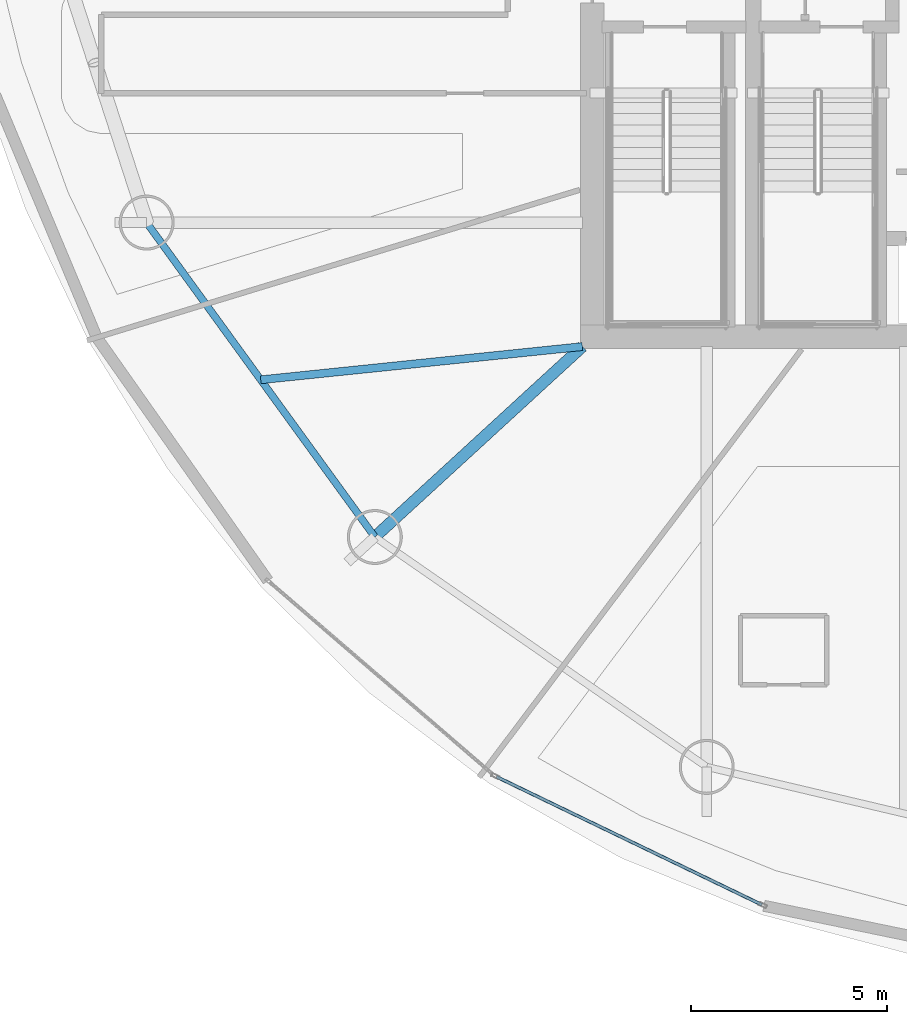
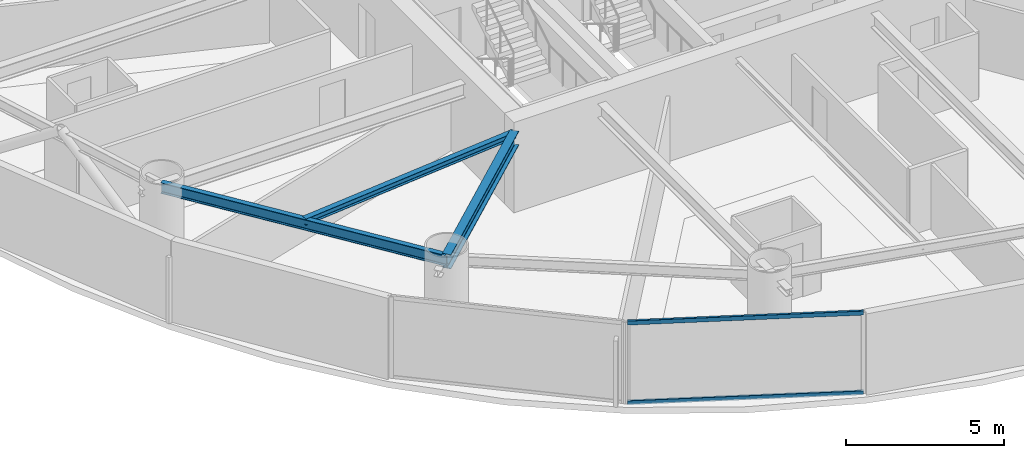
# One storey, part 3 of 21: 3 beams, 2 members, 1 element without a shape of its own.
"""IFC4 building model written with IfcOpenShell, lengths in metres."""

from ifc_helpers import new_model, si_unit, direction, frame, origin, origin_2d, place, context, subcontext, project, spatial, hollow_rectangle, i_section, extrude, material, layer, layer_set, material_profile, profile_set, type_object, element, aggregate, save


model = new_model("IFC4")

# Units and contexts
model_context = context("Model", 3, precision=1e-05, world=origin(), true_north=direction((0.0, 1.0)))
body_context = subcontext(model_context, "Body", "Model", "MODEL_VIEW")
ifc_project = project(units=[si_unit("LENGTHUNIT", "METRE"), si_unit("AREAUNIT", "SQUARE_METRE"), si_unit("VOLUMEUNIT", "CUBIC_METRE"), si_unit("PLANEANGLEUNIT", "RADIAN"), si_unit("MASSUNIT", "GRAM", prefix="KILO")], contexts=[model_context])

# Site, building, storey
site_placement = place(None, origin())
site = spatial("IfcSite", under=ifc_project, at=site_placement, CompositionType="ELEMENT")
building_placement = place(site_placement, origin())
building = spatial("IfcBuilding", under=site, at=building_placement, Name="Bramvorn Convention Spire", CompositionType="ELEMENT")
storey_placement = place(building_placement, frame((0.0, 0.0, 162.300048828125)))
storey = spatial("IfcBuildingStorey", under=building, at=storey_placement, Name="L41", CompositionType="ELEMENT", Elevation=162.300048828125)

# Beams
ifc_material_1 = material(Name="Steel CSA G40.21 Grade 350 (350W)", Category="steel")
ifc_material_profile_1 = material_profile(ifc_material_1, i_section(OverallWidth=0.201904296875, OverallDepth=0.2470703125, WebThickness=0.00732421875, FlangeThickness=0.010986328125, FilletRadius=0.011962890625, at=origin_2d()))
ifc_profile_set_1 = profile_set([ifc_material_profile_1], Name="Steel CSA G40.21 Grade 350 (350W) - W250X49")
beam_type_1 = type_object("IfcBeamType", Name="BM-W250X49", PredefinedType="JOIST", material=ifc_profile_set_1)
beam_1_placement = place(storey_placement, frame((26.75, 18.550048828125, 3.0263671875), z_axis=(-0.994705076194, -0.102770673804, 0.0), x_axis=(0.102770673804, -0.994705076194, 0.0)))
element("IfcBeam", 1, at=beam_1_placement, inside=storey, type_object=beam_type_1, Name="L41 composite floor joist 11", PredefinedType="JOIST", context=body_context, shape_type="SweptSolid", body=[
    extrude(i_section(OverallWidth=0.201904296875, OverallDepth=0.2470703125, WebThickness=0.00732421875, FlangeThickness=0.010986328125, FilletRadius=0.011962890625, at=origin_2d()), origin(), (0.0, 0.0, 1.0), 8.23388671875),
])
ifc_material_profile_2 = material_profile(ifc_material_1, i_section(OverallWidth=0.180908203125, OverallDepth=0.4169921875, WebThickness=0.010986328125, FlangeThickness=0.018310546875, FilletRadius=0.01611328125, at=origin_2d()))
ifc_profile_set_2 = profile_set([ifc_material_profile_2], Name="Steel CSA G40.21 Grade 350 (350W) - W410X85")
beam_type_2 = type_object("IfcBeamType", Name="BM-W410X85", PredefinedType="JOIST", material=ifc_profile_set_2)
beam_2_placement = place(storey_placement, frame((15.654296875, 21.706787109375, 2.94140625), z_axis=(0.587401024629, -0.809296012757, 0.0), x_axis=(0.809296012757, 0.587401024629, 0.0)))
element("IfcBeam", 2, at=beam_2_placement, inside=storey, type_object=beam_type_2, Name="L41 mega-column ring beam 11", PredefinedType="JOIST", context=body_context, shape_type="SweptSolid", body=[
    extrude(i_section(OverallWidth=0.180908203125, OverallDepth=0.4169921875, WebThickness=0.010986328125, FlangeThickness=0.018310546875, FilletRadius=0.01611328125, at=origin_2d()), origin(), (0.0, 0.0, 1.0), 9.892333984375),
])
ifc_material_profile_3 = material_profile(ifc_material_1, i_section(OverallWidth=0.2919921875, OverallDepth=0.551025390625, WebThickness=0.01513671875, FlangeThickness=0.0244140625, FilletRadius=0.01904296875, at=origin_2d()))
ifc_profile_set_3 = profile_set([ifc_material_profile_3], Name="Steel CSA G40.21 Grade 350 (350W) - W530X182")
beam_type_3 = type_object("IfcBeamType", Name="BM-W530X182", PredefinedType="BEAM", material=ifc_profile_set_3)
beam_3_placement = place(storey_placement, frame((26.75, 18.550048828125, 2.87451171875), z_axis=(-0.736833323746, -0.676074443399, 0.0), x_axis=(0.676074443399, -0.736833323746, 0.0)))
element("IfcBeam", 3, at=beam_3_placement, inside=storey, type_object=beam_type_3, Name="L41 radial floor girder MC12", PredefinedType="BEAM", context=body_context, shape_type="SweptSolid", body=[
    extrude(i_section(OverallWidth=0.2919921875, OverallDepth=0.551025390625, WebThickness=0.01513671875, FlangeThickness=0.0244140625, FilletRadius=0.01904296875, at=origin_2d()), origin(), (0.0, 0.0, 1.0), 7.17236328125),
])

# Curtain wall, members
ifc_material_2 = material(Name="Anodised Bronze Unitised Curtain Wall", Category="aluminium")
ifc_layer = layer(ifc_material_2, 0.179931640625)
ifc_layer_set = layer_set([ifc_layer], Name="Anodised Bronze Unitised Curtain Wall - CW-HTL-FRIT")
curtain_wall_type = type_object("IfcCurtainWallType", Name="CW-HTL-FRIT", PredefinedType="USERDEFINED", material=ifc_layer_set)
curtain_wall_placement = place(storey_placement, origin())
curtain_wall = element("IfcCurtainWall", 4, at=curtain_wall_placement, inside=storey, type_object=curtain_wall_type, Name="L41 fritted glass curtain wall 19", ObjectType="UNITISED CURTAIN WALL", PredefinedType="USERDEFINED")
ifc_material_3 = material(Name="Anodised Bronze Aluminium 6063-T6", Category="aluminium")
ifc_material_profile_4 = material_profile(ifc_material_3, hollow_rectangle(XDim=0.080078125, YDim=0.159912109375, WallThickness=0.00390625, InnerFilletRadius=0.0009765625, OuterFilletRadius=0.00390625, at=origin_2d()))
ifc_profile_set_4 = profile_set([ifc_material_profile_4], Name="Anodised Bronze Aluminium 6063-T6 - CWT80X160")
member_type = type_object("IfcMemberType", Name="CW-TRN-150", PredefinedType="USERDEFINED", material=ifc_profile_set_4)
member_1_placement = place(storey_placement, frame((31.320556640625, 4.335205078125, 0.030029296875), z_axis=(-0.900686998531, 0.434468561206, 0.0), x_axis=(-0.434468561206, -0.900686998531, 0.0)))
member_1 = element("IfcMember", 5, at=member_1_placement, type_object=member_type, Name="CW2 transom 1.1", ObjectType="TRANSOM", PredefinedType="USERDEFINED", context=body_context, shape_type="SweptSolid", body=[
    extrude(hollow_rectangle(XDim=0.080078125, YDim=0.159912109375, WallThickness=0.00390625, InnerFilletRadius=0.0009765625, OuterFilletRadius=0.00390625, at=origin_2d()), origin(), (0.0, 0.0, 1.0), 7.497314453125),
])
member_2_placement = place(storey_placement, frame((31.320556640625, 4.335205078125, 3.119873046875), z_axis=(-0.900686998531, 0.434468561206, 0.0), x_axis=(-0.434468561206, -0.900686998531, 0.0)))
member_2 = element("IfcMember", 6, at=member_2_placement, type_object=member_type, Name="CW2 transom 1.2", ObjectType="TRANSOM", PredefinedType="USERDEFINED", context=body_context, shape_type="SweptSolid", body=[
    extrude(hollow_rectangle(XDim=0.080078125, YDim=0.159912109375, WallThickness=0.00390625, InnerFilletRadius=0.0009765625, OuterFilletRadius=0.00390625, at=origin_2d()), origin(), (0.0, 0.0, 1.0), 7.497314453125),
])
aggregate(curtain_wall, [member_1, member_2])

save(model, "model.ifc")
